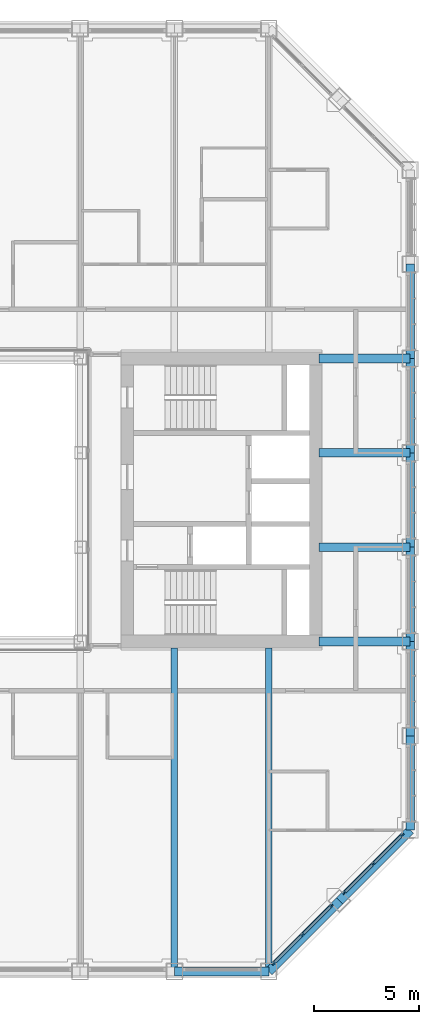
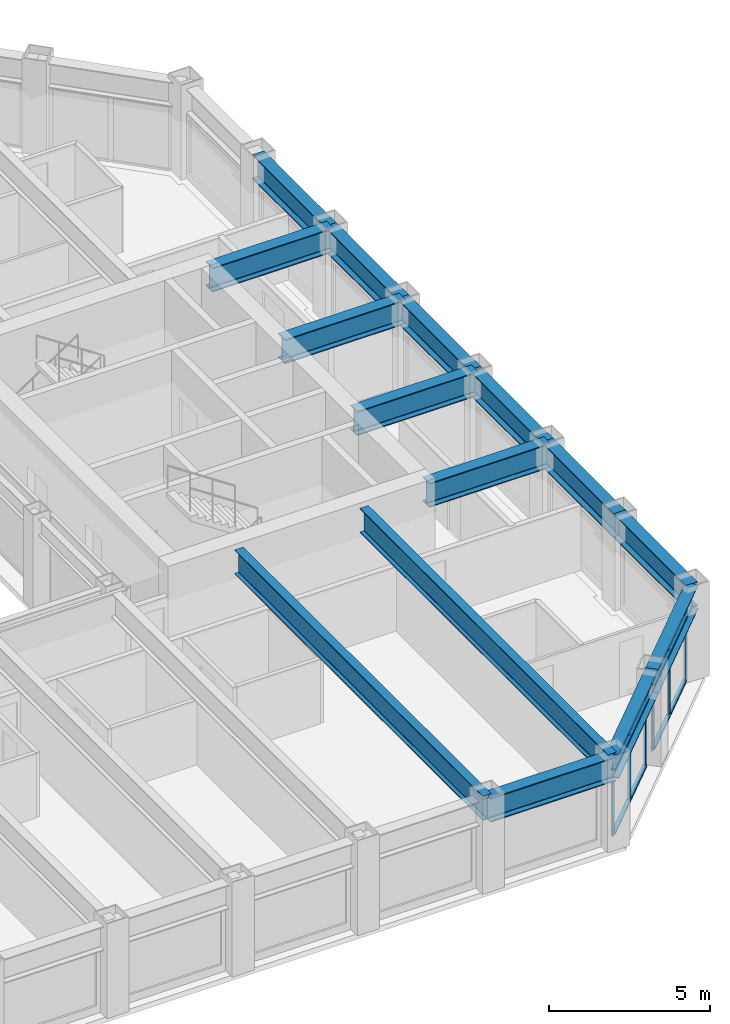
# One storey, part 6 of 18: 15 beams, 14 members, 2 elements without a shape of their own.
"""IFC4 building model written with IfcOpenShell, lengths in metres."""

from ifc_helpers import new_model, si_unit, direction, frame, origin, origin_2d, place, context, subcontext, project, spatial, rectangle, i_section, extrude, material, material_profile, profile_set, type_object, element, aggregate, save


model = new_model("IFC4")

# Units and contexts
model_context = context("Model", 3, precision=1e-05, world=origin(), true_north=direction((0.0, 1.0)))
body_context = subcontext(model_context, "Body", "Model", "MODEL_VIEW")
ifc_project = project(units=[si_unit("LENGTHUNIT", "METRE"), si_unit("AREAUNIT", "SQUARE_METRE"), si_unit("VOLUMEUNIT", "CUBIC_METRE"), si_unit("PLANEANGLEUNIT", "RADIAN"), si_unit("MASSUNIT", "GRAM", prefix="KILO")], contexts=[model_context])

# Site, building, storey
site_placement = place(None, origin())
site = spatial("IfcSite", under=ifc_project, at=site_placement, CompositionType="ELEMENT")
building_placement = place(site_placement, origin())
building = spatial("IfcBuilding", under=site, at=building_placement, Name="Msasa Ring Tower", CompositionType="ELEMENT")
storey_placement = place(building_placement, frame((0.0, 0.0, 183.199951171875)))
storey = spatial("IfcBuildingStorey", under=building, at=storey_placement, Name="L48", CompositionType="ELEMENT", Elevation=183.199951171875)

# Curtain wall, members
ifc_material_1 = material(Name="Aluminium curtain wall with clear glass", Category="aluminium")
curtain_wall_type = type_object("IfcCurtainWallType", Name="CW-C CHAMFER CORNER CURTAIN WALL", PredefinedType="NOTDEFINED", material=ifc_material_1)
curtain_wall_1_placement = place(storey_placement, origin())
curtain_wall_1 = element("IfcCurtainWall", 1, at=curtain_wall_1_placement, inside=storey, type_object=curtain_wall_type, Name="Chamfer corner curtain wall SE L48", PredefinedType="NOTDEFINED")
ifc_material_2 = material(Name="Aluminium mullion", Category="aluminium")
ifc_material_profile_1 = material_profile(ifc_material_2, rectangle(XDim=0.06494140625, YDim=0.179931640625, at=origin_2d()), Name="AL 65x180")
ifc_profile_set_1 = profile_set([ifc_material_profile_1], Name="Aluminium mullion")
member_type_1 = type_object("IfcMemberType", Name="CW-C MULLION 65x180", PredefinedType="MULLION", material=ifc_profile_set_1)
member_1_placement = place(storey_placement, frame((15.98876953125, -22.119873046875, 0.0), z_axis=(0.0, 0.0, 1.0), x_axis=(-0.707106781187, 0.707106781187, 0.0)))
member_1 = element("IfcMember", 2, at=member_1_placement, type_object=member_type_1, Name="CW-C mullion 1", PredefinedType="MULLION", context=body_context, shape_type="SweptSolid", body=[
    extrude(rectangle(XDim=0.06494140625, YDim=0.179931640625, at=origin_2d()), origin(), (0.0, 0.0, 1.0), 2.47900390625),
])
member_2_placement = place(storey_placement, frame((17.36669921875, -20.74169921875, 0.0), z_axis=(0.0, 0.0, 1.0), x_axis=(-0.707106781187, 0.707106781187, 0.0)))
member_2 = element("IfcMember", 3, at=member_2_placement, type_object=member_type_1, Name="CW-C mullion 2", PredefinedType="MULLION", context=body_context, shape_type="SweptSolid", body=[
    extrude(rectangle(XDim=0.06494140625, YDim=0.179931640625, at=origin_2d()), origin(), (0.0, 0.0, 1.0), 2.47900390625),
])
member_3_placement = place(storey_placement, frame((18.744873046875, -19.36376953125, 0.0), z_axis=(0.0, 0.0, 1.0), x_axis=(-0.707106781187, 0.707106781187, 0.0)))
member_3 = element("IfcMember", 4, at=member_3_placement, type_object=member_type_1, Name="CW-C mullion 3", PredefinedType="MULLION", context=body_context, shape_type="SweptSolid", body=[
    extrude(rectangle(XDim=0.06494140625, YDim=0.179931640625, at=origin_2d()), origin(), (0.0, 0.0, 1.0), 2.47900390625),
])

curtain_wall_2_placement = place(storey_placement, origin())
curtain_wall_2 = element("IfcCurtainWall", 5, at=curtain_wall_2_placement, inside=storey, type_object=curtain_wall_type, Name="Chamfer corner curtain wall SE L48", PredefinedType="NOTDEFINED")
member_4_placement = place(storey_placement, frame((19.36376953125, -18.744873046875, 0.0), z_axis=(0.0, 0.0, 1.0), x_axis=(-0.707106781187, 0.707106781187, 0.0)))
member_4 = element("IfcMember", 6, at=member_4_placement, type_object=member_type_1, Name="CW-C mullion 1", PredefinedType="MULLION", context=body_context, shape_type="SweptSolid", body=[
    extrude(rectangle(XDim=0.06494140625, YDim=0.179931640625, at=origin_2d()), origin(), (0.0, 0.0, 1.0), 2.47900390625),
])
member_5_placement = place(storey_placement, frame((20.74169921875, -17.36669921875, 0.0), z_axis=(0.0, 0.0, 1.0), x_axis=(-0.707106781187, 0.707106781187, 0.0)))
member_5 = element("IfcMember", 7, at=member_5_placement, type_object=member_type_1, Name="CW-C mullion 2", PredefinedType="MULLION", context=body_context, shape_type="SweptSolid", body=[
    extrude(rectangle(XDim=0.06494140625, YDim=0.179931640625, at=origin_2d()), origin(), (0.0, 0.0, 1.0), 2.47900390625),
])
member_6_placement = place(storey_placement, frame((22.119873046875, -15.98876953125, 0.0), z_axis=(0.0, 0.0, 1.0), x_axis=(-0.707106781187, 0.707106781187, 0.0)))
member_6 = element("IfcMember", 8, at=member_6_placement, type_object=member_type_1, Name="CW-C mullion 3", PredefinedType="MULLION", context=body_context, shape_type="SweptSolid", body=[
    extrude(rectangle(XDim=0.06494140625, YDim=0.179931640625, at=origin_2d()), origin(), (0.0, 0.0, 1.0), 2.47900390625),
])

# Member
ifc_material_3 = material(Name="Aluminium transom", Category="aluminium")
ifc_material_profile_2 = material_profile(ifc_material_3, rectangle(XDim=0.139892578125, YDim=0.06494140625, at=origin_2d()), Name="AL 65x140")
ifc_profile_set_2 = profile_set([ifc_material_profile_2], Name="Aluminium transom")
member_type_2 = type_object("IfcMemberType", Name="CW-C TRANSOM 65x140", PredefinedType="USERDEFINED", material=ifc_profile_set_2)
member_7_placement = place(storey_placement, frame((16.01171875, -22.096923828125, 0.032470703125), z_axis=(0.707106781187, 0.707106781187, 0.0), x_axis=(-0.707106781187, 0.707106781187, 0.0)))
member_7 = element("IfcMember", 9, at=member_7_placement, type_object=member_type_2, Name="CW-C transom 1.1", ObjectType="TRANSOM", PredefinedType="USERDEFINED", context=body_context, shape_type="SweptSolid", body=[
    extrude(rectangle(XDim=0.139892578125, YDim=0.06494140625, at=origin_2d()), origin(), (0.0, 0.0, 1.0), 1.8837890625),
])

member_8_placement = place(storey_placement, frame((16.01171875, -22.096923828125, 2.446533203125), z_axis=(0.707106781187, 0.707106781187, 0.0), x_axis=(-0.707106781187, 0.707106781187, 0.0)))
member_8 = element("IfcMember", 10, at=member_8_placement, type_object=member_type_2, Name="CW-C transom 1.2", ObjectType="TRANSOM", PredefinedType="USERDEFINED", context=body_context, shape_type="SweptSolid", body=[
    extrude(rectangle(XDim=0.139892578125, YDim=0.06494140625, at=origin_2d()), origin(), (0.0, 0.0, 1.0), 1.8837890625),
])

member_9_placement = place(storey_placement, frame((17.389892578125, -20.71875, 0.032470703125), z_axis=(0.707106781187, 0.707106781187, 0.0), x_axis=(-0.707106781187, 0.707106781187, 0.0)))
member_9 = element("IfcMember", 11, at=member_9_placement, type_object=member_type_2, Name="CW-C transom 2.1", ObjectType="TRANSOM", PredefinedType="USERDEFINED", context=body_context, shape_type="SweptSolid", body=[
    extrude(rectangle(XDim=0.139892578125, YDim=0.06494140625, at=origin_2d()), origin(), (0.0, 0.0, 1.0), 1.8837890625),
])

member_10_placement = place(storey_placement, frame((17.389892578125, -20.71875, 2.446533203125), z_axis=(0.707106781187, 0.707106781187, 0.0), x_axis=(-0.707106781187, 0.707106781187, 0.0)))
member_10 = element("IfcMember", 12, at=member_10_placement, type_object=member_type_2, Name="CW-C transom 2.2", ObjectType="TRANSOM", PredefinedType="USERDEFINED", context=body_context, shape_type="SweptSolid", body=[
    extrude(rectangle(XDim=0.139892578125, YDim=0.06494140625, at=origin_2d()), origin(), (0.0, 0.0, 1.0), 1.8837890625),
])

aggregate(curtain_wall_1, [member_1, member_2, member_3, member_7, member_8, member_9, member_10])

member_11_placement = place(storey_placement, frame((19.38671875, -18.721923828125, 0.032470703125), z_axis=(0.707106781187, 0.707106781187, 0.0), x_axis=(-0.707106781187, 0.707106781187, 0.0)))
member_11 = element("IfcMember", 13, at=member_11_placement, type_object=member_type_2, Name="CW-C transom 1.1", ObjectType="TRANSOM", PredefinedType="USERDEFINED", context=body_context, shape_type="SweptSolid", body=[
    extrude(rectangle(XDim=0.139892578125, YDim=0.06494140625, at=origin_2d()), origin(), (0.0, 0.0, 1.0), 1.8837890625),
])

member_12_placement = place(storey_placement, frame((19.38671875, -18.721923828125, 2.446533203125), z_axis=(0.707106781187, 0.707106781187, 0.0), x_axis=(-0.707106781187, 0.707106781187, 0.0)))
member_12 = element("IfcMember", 14, at=member_12_placement, type_object=member_type_2, Name="CW-C transom 1.2", ObjectType="TRANSOM", PredefinedType="USERDEFINED", context=body_context, shape_type="SweptSolid", body=[
    extrude(rectangle(XDim=0.139892578125, YDim=0.06494140625, at=origin_2d()), origin(), (0.0, 0.0, 1.0), 1.8837890625),
])

member_13_placement = place(storey_placement, frame((20.764892578125, -17.34375, 0.032470703125), z_axis=(0.707106781187, 0.707106781187, 0.0), x_axis=(-0.707106781187, 0.707106781187, 0.0)))
member_13 = element("IfcMember", 15, at=member_13_placement, type_object=member_type_2, Name="CW-C transom 2.1", ObjectType="TRANSOM", PredefinedType="USERDEFINED", context=body_context, shape_type="SweptSolid", body=[
    extrude(rectangle(XDim=0.139892578125, YDim=0.06494140625, at=origin_2d()), origin(), (0.0, 0.0, 1.0), 1.8837890625),
])

member_14_placement = place(storey_placement, frame((20.764892578125, -17.34375, 2.446533203125), z_axis=(0.707106781187, 0.707106781187, 0.0), x_axis=(-0.707106781187, 0.707106781187, 0.0)))
member_14 = element("IfcMember", 16, at=member_14_placement, type_object=member_type_2, Name="CW-C transom 2.2", ObjectType="TRANSOM", PredefinedType="USERDEFINED", context=body_context, shape_type="SweptSolid", body=[
    extrude(rectangle(XDim=0.139892578125, YDim=0.06494140625, at=origin_2d()), origin(), (0.0, 0.0, 1.0), 1.8837890625),
])

aggregate(curtain_wall_2, [member_4, member_5, member_6, member_11, member_12, member_13, member_14])

# Beams
ifc_material_4 = material(Name="Steel S355", Category="steel")
ifc_material_profile_3 = material_profile(ifc_material_4, i_section(OverallWidth=0.42041015625, OverallDepth=0.9208984375, WebThickness=0.021484375, FlangeThickness=0.03662109375, FilletRadius=0.024169921875, at=origin_2d()), Name="UB 914x419x388")
ifc_profile_set_3 = profile_set([ifc_material_profile_3], Name="Steel S355")
beam_type_1 = type_object("IfcBeamType", Name="FB2 UB 914x419x388", PredefinedType="BEAM", material=ifc_profile_set_3)
for number, where, z_axis, x_axis, name in (
    (17, (22.5, -2.25, 2.939453125), (-1.0, 0.0, 0.0), (0.0, -1.0, 0.0), "Floor beam E -2.25 under L49"),
    (18, (22.5, 2.25, 2.939453125), (-1.0, 0.0, 0.0), (0.0, -1.0, 0.0), "Floor beam E +2.25 under L49"),
):
    element("IfcBeam", number, at=place(storey_placement, frame(where, z_axis=z_axis, x_axis=x_axis)), inside=storey, type_object=beam_type_1, Name=name, PredefinedType="BEAM", context=body_context, shape_type="SweptSolid", body=[
        extrude(i_section(OverallWidth=0.42041015625, OverallDepth=0.9208984375, WebThickness=0.021484375, FlangeThickness=0.03662109375, FilletRadius=0.024169921875, at=origin_2d()), origin(), (0.0, 0.0, 1.0), 4.35009765625),
    ])
ifc_material_5 = material(Name="Steel S355", Category="steel")
ifc_material_profile_4 = material_profile(ifc_material_5, i_section(OverallWidth=0.3076171875, OverallDepth=0.926513671875, WebThickness=0.01953125, FlangeThickness=0.031982421875, FilletRadius=0.01904296875, at=origin_2d()), Name="UB 914x305x289")
ifc_profile_set_4 = profile_set([ifc_material_profile_4], Name="Steel S355")
beam_type_2 = type_object("IfcBeamType", Name="FB3 UB 914x305x289", PredefinedType="BEAM", material=ifc_profile_set_4)
for number, where, z_axis, x_axis, name in (
    (19, (11.25, -22.5, 2.936767578125), (0.0, 1.0, 0.0), (-1.0, 0.0, 0.0), "Floor beam S+11.25 under L49"),
    (20, (15.75, -22.5, 2.936767578125), (0.0, 1.0, 0.0), (-1.0, 0.0, 0.0), "Floor beam S+15.75 under L49"),
):
    element("IfcBeam", number, at=place(storey_placement, frame(where, z_axis=z_axis, x_axis=x_axis)), inside=storey, type_object=beam_type_2, Name=name, PredefinedType="BEAM", context=body_context, shape_type="SweptSolid", body=[
        extrude(i_section(OverallWidth=0.3076171875, OverallDepth=0.926513671875, WebThickness=0.01953125, FlangeThickness=0.031982421875, FilletRadius=0.01904296875, at=origin_2d()), origin(), (0.0, 0.0, 1.0), 15.449951171875),
    ])
ifc_material_6 = material(Name="Steel S355", Category="steel")
ifc_material_profile_5 = material_profile(ifc_material_6, i_section(OverallWidth=0.42041015625, OverallDepth=0.9208984375, WebThickness=0.021484375, FlangeThickness=0.03662109375, FilletRadius=0.024169921875, at=origin_2d()), Name="UB 914x419x388")
ifc_profile_set_5 = profile_set([ifc_material_profile_5], Name="Steel S355")
beam_type_3 = type_object("IfcBeamType", Name="GB1 UB 914x419x388", PredefinedType="BEAM", material=ifc_profile_set_5)
for number, where, z_axis, x_axis, name in (
    (21, (18.14990234375, 6.75, 2.939453125), (1.0, 0.0, 0.0), (0.0, 1.0, 0.0), "Girder E +6.75 under L49"),
    (22, (18.14990234375, -6.75, 2.939453125), (1.0, 0.0, 0.0), (0.0, 1.0, 0.0), "Girder E -6.75 under L49"),
):
    element("IfcBeam", number, at=place(storey_placement, frame(where, z_axis=z_axis, x_axis=x_axis)), inside=storey, type_object=beam_type_3, Name=name, PredefinedType="BEAM", context=body_context, shape_type="SweptSolid", body=[
        extrude(i_section(OverallWidth=0.42041015625, OverallDepth=0.9208984375, WebThickness=0.021484375, FlangeThickness=0.03662109375, FilletRadius=0.024169921875, at=origin_2d()), origin(), (0.0, 0.0, 1.0), 4.35009765625),
    ])
ifc_material_7 = material(Name="Steel S355", Category="steel")
ifc_material_profile_6 = material_profile(ifc_material_7, i_section(OverallWidth=0.42041015625, OverallDepth=0.9208984375, WebThickness=0.021484375, FlangeThickness=0.03662109375, FilletRadius=0.024169921875, at=origin_2d()), Name="UB 914x419x388")
ifc_profile_set_6 = profile_set([ifc_material_profile_6], Name="Steel S355")
beam_type_4 = type_object("IfcBeamType", Name="SB1 UB 914x419x388", PredefinedType="SPANDREL", material=ifc_profile_set_6)
beam_placement = place(storey_placement, frame((11.25, -22.5, 2.939453125), z_axis=(1.0, 0.0, 0.0), x_axis=(0.0, 1.0, 0.0)))
element("IfcBeam", 23, at=beam_placement, inside=storey, type_object=beam_type_4, Name="Spandrel S+11.25 to S+15.75 under L49", PredefinedType="SPANDREL", context=body_context, shape_type="SweptSolid", body=[
    extrude(i_section(OverallWidth=0.42041015625, OverallDepth=0.9208984375, WebThickness=0.021484375, FlangeThickness=0.03662109375, FilletRadius=0.024169921875, at=origin_2d()), origin(), (0.0, 0.0, 1.0), 4.5),
])
for number, where, z_axis, x_axis, name in (
    (24, (15.75, -22.5, 2.939453125), (0.707106781187, 0.707106781187, 0.0), (-0.707106781187, 0.707106781187, 0.0), "Spandrel S+15.75 to SE under L49"),
    (25, (19.125, -19.125, 2.939453125), (0.707106781187, 0.707106781187, 0.0), (-0.707106781187, 0.707106781187, 0.0), "Spandrel SE to E-15.75 under L49"),
):
    element("IfcBeam", number, at=place(storey_placement, frame(where, z_axis=z_axis, x_axis=x_axis)), inside=storey, type_object=beam_type_4, Name=name, PredefinedType="SPANDREL", context=body_context, shape_type="SweptSolid", body=[
        extrude(i_section(OverallWidth=0.42041015625, OverallDepth=0.9208984375, WebThickness=0.021484375, FlangeThickness=0.03662109375, FilletRadius=0.024169921875, at=origin_2d()), origin(), (0.0, 0.0, 1.0), 4.77294921875),
    ])
for number, where, z_axis, x_axis, name in (
    (26, (22.5, -15.75, 2.939453125), (0.0, 1.0, 0.0), (-1.0, 0.0, 0.0), "Spandrel E-15.75 to E-11.25 under L49"),
    (27, (22.5, -11.25, 2.939453125), (0.0, 1.0, 0.0), (-1.0, 0.0, 0.0), "Spandrel E-11.25 to E-6.75 under L49"),
    (28, (22.5, -6.75, 2.939453125), (0.0, 1.0, 0.0), (-1.0, 0.0, 0.0), "Spandrel E-6.75 to E-2.25 under L49"),
    (29, (22.5, -2.25, 2.939453125), (0.0, 1.0, 0.0), (-1.0, 0.0, 0.0), "Spandrel E-2.25 to E+2.25 under L49"),
    (30, (22.5, 2.25, 2.939453125), (0.0, 1.0, 0.0), (-1.0, 0.0, 0.0), "Spandrel E+2.25 to E+6.75 under L49"),
    (31, (22.5, 6.75, 2.939453125), (0.0, 1.0, 0.0), (-1.0, 0.0, 0.0), "Spandrel E+6.75 to E+11.25 under L49"),
):
    element("IfcBeam", number, at=place(storey_placement, frame(where, z_axis=z_axis, x_axis=x_axis)), inside=storey, type_object=beam_type_4, Name=name, PredefinedType="SPANDREL", context=body_context, shape_type="SweptSolid", body=[
        extrude(i_section(OverallWidth=0.42041015625, OverallDepth=0.9208984375, WebThickness=0.021484375, FlangeThickness=0.03662109375, FilletRadius=0.024169921875, at=origin_2d()), origin(), (0.0, 0.0, 1.0), 4.5),
    ])

save(model, "model.ifc")
